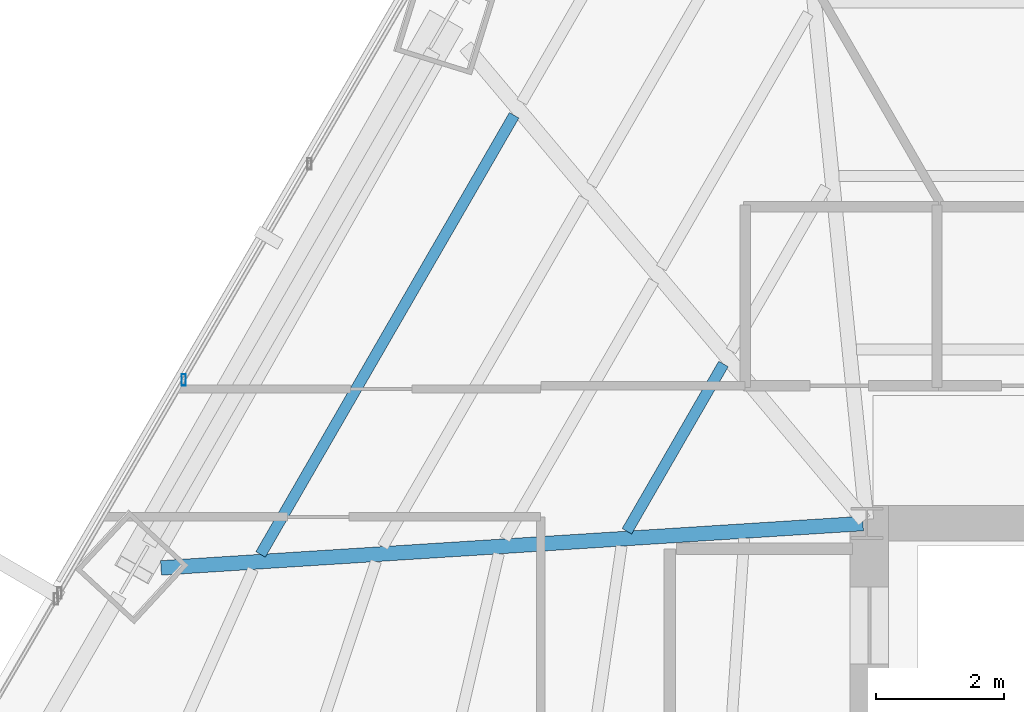
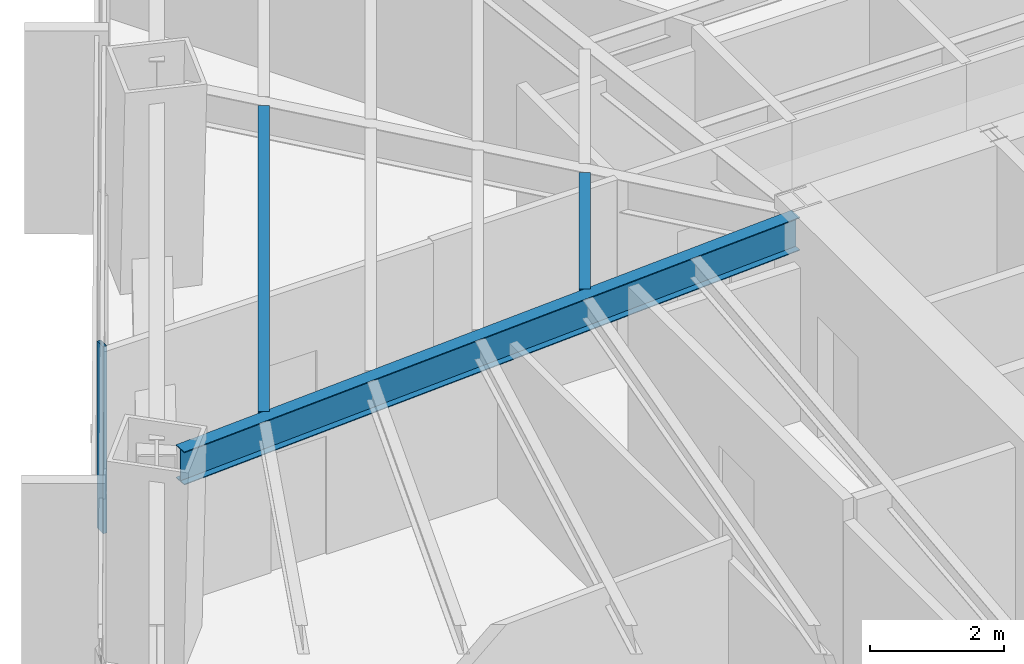
# One storey, part 10 of 29: 3 beams, 1 member, 1 element without a shape of its own.
"""IFC4 building model written with IfcOpenShell, lengths in metres."""

from ifc_helpers import new_model, si_unit, direction, frame, origin, origin_2d, place, context, subcontext, project, spatial, hollow_rectangle, i_section, extrude, source, transform, mapped, material, material_profile, profile_set, type_object, type_shapes, element, aggregate, save


model = new_model("IFC4")

# Units and contexts
model_context = context("Model", 3, precision=1e-05, world=origin(), true_north=direction((0.0, 1.0)))
body_context = subcontext(model_context, "Body", "Model", "MODEL_VIEW")
ifc_project = project(units=[si_unit("LENGTHUNIT", "METRE"), si_unit("AREAUNIT", "SQUARE_METRE"), si_unit("VOLUMEUNIT", "CUBIC_METRE"), si_unit("PLANEANGLEUNIT", "RADIAN"), si_unit("MASSUNIT", "GRAM", prefix="KILO")], contexts=[model_context])

# Site, building, storey
site_placement = place(None, origin())
site = spatial("IfcSite", under=ifc_project, at=site_placement, CompositionType="ELEMENT")
building_placement = place(site_placement, origin())
building = spatial("IfcBuilding", under=site, at=building_placement, Name="Caelisora Broadcast Tower", CompositionType="ELEMENT")
storey_placement = place(building_placement, frame((0.0, 0.0, 31.25)))
storey = spatial("IfcBuildingStorey", under=building, at=storey_placement, Name="L07", CompositionType="ELEMENT", Elevation=31.25)

# Beams
ifc_material_1 = material(Name="Steel Grade 350 (AS/NZS 3679.1)", Category="steel")
ifc_material_profile_1 = material_profile(ifc_material_1, i_section(OverallWidth=0.22802734375, OverallDepth=0.602294921875, WebThickness=0.010498046875, FlangeThickness=0.014892578125, at=origin_2d()), Name="Steel Grade 350 (AS/NZS 3679.1)")
ifc_profile_set_1 = profile_set([ifc_material_profile_1], Name="Steel Grade 350 (AS/NZS 3679.1)")
beam_type_1 = type_object("IfcBeamType", Name="PG04", PredefinedType="BEAM", material=ifc_profile_set_1)
shared_shape_1 = source(origin(), body_context, "Body", "SweptSolid", [
    extrude(i_section(OverallWidth=0.22802734375, OverallDepth=0.602294921875, WebThickness=0.010498046875, FlangeThickness=0.014892578125, at=origin_2d()), origin(), (0.0, 0.0, 1.0), 11.00048828125),
])
type_shapes(beam_type_1, [shared_shape_1])
beam_1_placement = place(storey_placement, frame((30.440185546875, 29.99609375, 3.098876953125), z_axis=(-0.99800601647, -0.063118864767, 0.0), x_axis=(0.063118864767, -0.99800601647, 0.0)))
element("IfcBeam", 1, at=beam_1_placement, inside=storey, type_object=beam_type_1, Name="L07 beam PG04", PredefinedType="BEAM", context=body_context, shape_type="MappedRepresentation", body=[
    mapped(shared_shape_1, transform((0.0, 0.0, 0.0), scale=1.0)),
])
ifc_material_profile_2 = material_profile(ifc_material_1, i_section(OverallWidth=0.172119140625, OverallDepth=0.358642578125, WebThickness=0.008056640625, FlangeThickness=0.012939453125, at=origin_2d()), Name="Steel Grade 350 (AS/NZS 3679.1)")
ifc_profile_set_2 = profile_set([ifc_material_profile_2], Name="Steel Grade 350 (AS/NZS 3679.1)")
beam_type_2 = type_object("IfcBeamType", Name="SB02", PredefinedType="JOIST", material=ifc_profile_set_2)
shared_shape_2 = source(origin(), body_context, "Body", "SweptSolid", [
    extrude(i_section(OverallWidth=0.172119140625, OverallDepth=0.358642578125, WebThickness=0.008056640625, FlangeThickness=0.012939453125, at=origin_2d()), origin(), (0.0, 0.0, 1.0), 3.021240234375),
])
beam_2_placement = place(storey_placement, frame((28.25830078125, 32.490966796875, 3.220703125), z_axis=(-0.499971948444, -0.866041598752, 0.0), x_axis=(0.866041598752, -0.499971948444, 0.0)))
element("IfcBeam", 2, at=beam_2_placement, inside=storey, type_object=beam_type_2, Name="L07 beam SB02", PredefinedType="JOIST", context=body_context, shape_type="MappedRepresentation", body=[
    mapped(shared_shape_2, transform((0.0, 0.0, 0.0), scale=1.0)),
])
shared_shape_3 = source(origin(), body_context, "Body", "SweptSolid", [
    extrude(i_section(OverallWidth=0.172119140625, OverallDepth=0.358642578125, WebThickness=0.008056640625, FlangeThickness=0.012939453125, at=origin_2d()), origin(), (0.0, 0.0, 1.0), 7.931640625),
])
type_shapes(beam_type_2, [shared_shape_2, shared_shape_3])
beam_3_placement = place(storey_placement, frame((24.984619140625, 36.381103515625, 3.220703125), z_axis=(-0.499992447139, -0.866029764387, 0.0), x_axis=(0.866029764387, -0.499992447139, 0.0)))
element("IfcBeam", 3, at=beam_3_placement, inside=storey, type_object=beam_type_2, Name="L07 beam SB02", PredefinedType="JOIST", context=body_context, shape_type="MappedRepresentation", body=[
    mapped(shared_shape_3, transform((0.0, 0.0, 0.0), scale=1.0)),
])

# Curtain wall, member
ifc_material_2 = material(Name="Unitised Aluminium Insulated Shadow-Box Spandrel Curtain Wall", Category="aluminium")
curtain_wall_type = type_object("IfcCurtainWallType", Name="CW-SP1", PredefinedType="NOTDEFINED", material=ifc_material_2)
curtain_wall_placement = place(storey_placement, origin())
curtain_wall = element("IfcCurtainWall", 4, at=curtain_wall_placement, inside=storey, type_object=curtain_wall_type, Name="L07 curtain wall CW-SP1", PredefinedType="NOTDEFINED")
ifc_material_3 = material(Name="Aluminium 6063-T6 Anodised Terracotta Bronze", Category="aluminium")
ifc_material_profile_3 = material_profile(ifc_material_3, hollow_rectangle(XDim=0.06494140625, YDim=0.179931640625, WallThickness=0.00341796875, at=origin_2d()), Name="Aluminium 6063-T6 Anodised Terracotta Bronze")
ifc_profile_set_3 = profile_set([ifc_material_profile_3], Name="Aluminium 6063-T6 Anodised Terracotta Bronze")
member_type = type_object("IfcMemberType", Name="CWM-02", PredefinedType="MULLION", material=ifc_profile_set_3)
shared_shape_4 = source(origin(), body_context, "Body", "SweptSolid", [
    extrude(hollow_rectangle(XDim=0.06494140625, YDim=0.179931640625, WallThickness=0.00341796875, at=origin_2d()), origin(), (0.0, 0.0, 1.0), 3.39990234375),
])
type_shapes(member_type, [shared_shape_4])
member_placement = place(storey_placement, frame((19.81689453125, 32.244384765625, 0.0), z_axis=(0.0, 0.0, 1.0), x_axis=(1.0, 0.0, 0.0)))
member = element("IfcMember", 5, at=member_placement, type_object=member_type, Name="L07-CW-B10 mullion #1", PredefinedType="MULLION", context=body_context, shape_type="MappedRepresentation", body=[
    mapped(shared_shape_4, transform((0.0, 0.0, 0.0), scale=1.0)),
])
aggregate(curtain_wall, [member])

save(model, "model.ifc")
